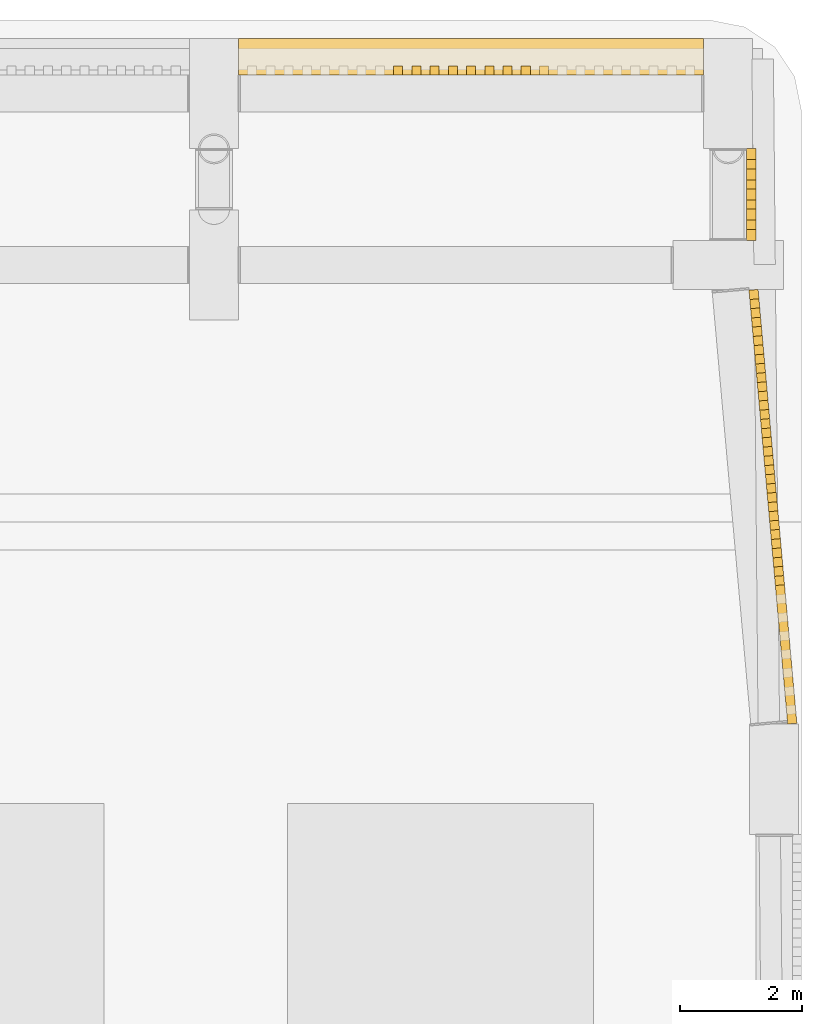
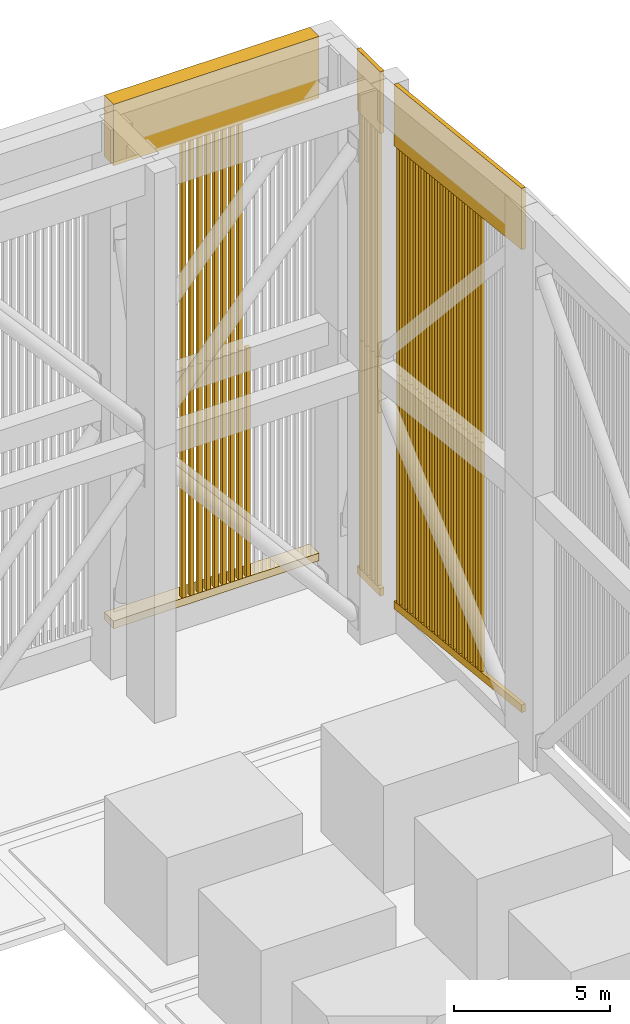
# One storey, part 25 of 27: 57 shading devices, 6 coverings.
"""IFC4 building model written with IfcOpenShell, lengths in metres."""

from ifc_helpers import new_model, si_unit, direction, frame, origin, origin_2d, place, context, subcontext, project, spatial, rectangle, extrude, material, layer, layer_set, type_object, element, save


model = new_model("IFC4")

# Units and contexts
model_context = context("Model", 3, precision=1e-05, world=origin(), true_north=direction((0.0, 1.0)))
body_context = subcontext(model_context, "Body", "Model", "MODEL_VIEW")
ifc_project = project(units=[si_unit("LENGTHUNIT", "METRE"), si_unit("AREAUNIT", "SQUARE_METRE"), si_unit("VOLUMEUNIT", "CUBIC_METRE"), si_unit("PLANEANGLEUNIT", "RADIAN"), si_unit("MASSUNIT", "GRAM", prefix="KILO")], contexts=[model_context])

# Site, building, storey
site_placement = place(None, origin())
site = spatial("IfcSite", under=ifc_project, at=site_placement, CompositionType="ELEMENT")
building_placement = place(site_placement, origin())
building = spatial("IfcBuilding", under=site, at=building_placement, Name="Claustro Exchange Tower", CompositionType="ELEMENT")
storey_placement = place(building_placement, frame((0.0, 0.0, 287.10009765625)))
storey = spatial("IfcBuildingStorey", under=building, at=storey_placement, Name="ROOF", CompositionType="ELEMENT", Elevation=287.10009765625)

# Coverings
ifc_material_1 = material(Name="Concrete HA-40 (C40/50), precast, white cement, acid-etched", Category="concrete")
ifc_layer_1 = layer(ifc_material_1, 0.14990234375)
ifc_layer_set_1 = layer_set([ifc_layer_1], Name="Concrete HA-40 (C40/50), precast, white cement, acid-etched")
covering_type_1 = type_object("IfcCoveringType", Name="CC1 150 precast concrete crown moulding", PredefinedType="MOLDING", material=ifc_layer_set_1)
covering_1_placement = place(storey_placement, frame((51.129638671875, 38.050048828125, 1.10009765625), z_axis=(0.0, 0.0, 1.0), x_axis=(-0.088932542032, 0.996037651381, 0.0)))
element("IfcCovering", 1, at=covering_1_placement, inside=storey, type_object=covering_type_1, Name="CROWN SILL CC1 7+750/E - 7/F", PredefinedType="MOLDING", context=body_context, shape_type="SweptSolid", body=[
    extrude(rectangle(XDim=7.114013671875, YDim=0.14990234375, at=origin_2d()), origin(), (0.0, 0.0, 1.0), 0.300048828125),
])
covering_2_placement = place(storey_placement, frame((51.129638671875, 38.050048828125, 19.199951171875), z_axis=(0.0, 0.0, 1.0), x_axis=(-0.088932542032, 0.996037651381, 0.0)))
element("IfcCovering", 2, at=covering_2_placement, inside=storey, type_object=covering_type_1, Name="CROWN CORNICE CC1 7+750/E - 7/F", PredefinedType="MOLDING", context=body_context, shape_type="SweptSolid", body=[
    extrude(rectangle(XDim=7.114013671875, YDim=0.14990234375, at=origin_2d()), origin(), (0.0, 0.0, 1.0), 2.39990234375),
])
covering_3_placement = place(storey_placement, frame((50.775390625, 43.14990234375, 1.10009765625), z_axis=(0.0, 0.0, 1.0), x_axis=(0.0, 1.0, 0.0)))
element("IfcCovering", 3, at=covering_3_placement, inside=storey, type_object=covering_type_1, Name="CROWN SILL CC1 7/F - 7/F+2800", PredefinedType="MOLDING", context=body_context, shape_type="SweptSolid", body=[
    extrude(rectangle(XDim=1.4990234375, YDim=0.14990234375, at=origin_2d()), origin(), (0.0, 0.0, 1.0), 0.300048828125),
])
covering_4_placement = place(storey_placement, frame((50.775390625, 43.14990234375, 19.199951171875), z_axis=(0.0, 0.0, 1.0), x_axis=(0.0, 1.0, 0.0)))
element("IfcCovering", 4, at=covering_4_placement, inside=storey, type_object=covering_type_1, Name="CROWN CORNICE CC1 7/F - 7/F+2800", PredefinedType="MOLDING", context=body_context, shape_type="SweptSolid", body=[
    extrude(rectangle(XDim=1.4990234375, YDim=0.14990234375, at=origin_2d()), origin(), (0.0, 0.0, 1.0), 2.39990234375),
])
ifc_material_2 = material(Name="Concrete HA-40 (C40/50), precast, white cement, acid-etched", Category="concrete")
ifc_layer_2 = layer(ifc_material_2, 0.60009765625)
ifc_layer_set_2 = layer_set([ifc_layer_2], Name="Concrete HA-40 (C40/50), precast, white cement, acid-etched")
covering_type_2 = type_object("IfcCoveringType", Name="CC2 600 precast concrete crown moulding", PredefinedType="MOLDING", material=ifc_layer_set_2)
covering_5_placement = place(storey_placement, frame((46.199951171875, 45.400390625, 1.10009765625), z_axis=(0.0, 0.0, 1.0), x_axis=(1.0, 0.0, 0.0)))
element("IfcCovering", 5, at=covering_5_placement, inside=storey, type_object=covering_type_2, Name="CROWN SILL CC2 6/F+2800 - 7/F+2800", PredefinedType="MOLDING", context=body_context, shape_type="SweptSolid", body=[
    extrude(rectangle(XDim=7.59912109375, YDim=0.60009765625, at=origin_2d()), origin(), (0.0, 0.0, 1.0), 0.300048828125),
])
covering_6_placement = place(storey_placement, frame((46.199951171875, 45.400390625, 19.199951171875), z_axis=(0.0, 0.0, 1.0), x_axis=(1.0, 0.0, 0.0)))
element("IfcCovering", 6, at=covering_6_placement, inside=storey, type_object=covering_type_2, Name="CROWN CORNICE CC2 6/F+2800 - 7/F+2800", PredefinedType="MOLDING", context=body_context, shape_type="SweptSolid", body=[
    extrude(rectangle(XDim=7.59912109375, YDim=0.60009765625, at=origin_2d()), origin(), (0.0, 0.0, 1.0), 2.39990234375),
])

# Shading devices
ifc_material_3 = material(Name="Concrete HA-40 (C40/50), precast, white cement, acid-etched", Category="concrete")
shading_device_type = type_object("IfcShadingDeviceType", Name="LV1 150 x 150 precast concrete crown louvre", PredefinedType="USERDEFINED", material=ifc_material_3)
shading_device_1_placement = place(storey_placement, frame((45.0078125, 45.175537109375, 1.39990234375), z_axis=(0.0, 0.0, 1.0), x_axis=(1.0, 0.0, 0.0)))
element("IfcShadingDevice", 7, at=shading_device_1_placement, inside=storey, type_object=shading_device_type, Name="CROWN LOUVRE LV1 6/F+2800 - 7/F+2800 09 lower", ObjectType="CROWN LOUVRE", PredefinedType="USERDEFINED", context=body_context, shape_type="SweptSolid", body=[
    extrude(rectangle(XDim=0.14990234375, YDim=0.14990234375, at=origin_2d()), origin(), (0.0, 0.0, 1.0), 8.949951171875),
])
shading_device_2_placement = place(storey_placement, frame((45.0078125, 45.175537109375, 10.349853515625), z_axis=(0.0, 0.0, 1.0), x_axis=(1.0, 0.0, 0.0)))
element("IfcShadingDevice", 8, at=shading_device_2_placement, inside=storey, type_object=shading_device_type, Name="CROWN LOUVRE LV1 6/F+2800 - 7/F+2800 09 upper", ObjectType="CROWN LOUVRE", PredefinedType="USERDEFINED", context=body_context, shape_type="SweptSolid", body=[
    extrude(rectangle(XDim=0.14990234375, YDim=0.14990234375, at=origin_2d()), origin(), (0.0, 0.0, 1.0), 8.85009765625),
])
shading_device_3_placement = place(storey_placement, frame((45.305908203125, 45.175537109375, 1.39990234375), z_axis=(0.0, 0.0, 1.0), x_axis=(1.0, 0.0, 0.0)))
element("IfcShadingDevice", 9, at=shading_device_3_placement, inside=storey, type_object=shading_device_type, Name="CROWN LOUVRE LV1 6/F+2800 - 7/F+2800 10 lower", ObjectType="CROWN LOUVRE", PredefinedType="USERDEFINED", context=body_context, shape_type="SweptSolid", body=[
    extrude(rectangle(XDim=0.14990234375, YDim=0.14990234375, at=origin_2d()), origin(), (0.0, 0.0, 1.0), 8.949951171875),
])
shading_device_4_placement = place(storey_placement, frame((45.305908203125, 45.175537109375, 10.349853515625), z_axis=(0.0, 0.0, 1.0), x_axis=(1.0, 0.0, 0.0)))
element("IfcShadingDevice", 10, at=shading_device_4_placement, inside=storey, type_object=shading_device_type, Name="CROWN LOUVRE LV1 6/F+2800 - 7/F+2800 10 upper", ObjectType="CROWN LOUVRE", PredefinedType="USERDEFINED", context=body_context, shape_type="SweptSolid", body=[
    extrude(rectangle(XDim=0.14990234375, YDim=0.14990234375, at=origin_2d()), origin(), (0.0, 0.0, 1.0), 8.85009765625),
])
shading_device_5_placement = place(storey_placement, frame((45.60400390625, 45.175537109375, 1.39990234375), z_axis=(0.0, 0.0, 1.0), x_axis=(1.0, 0.0, 0.0)))
element("IfcShadingDevice", 11, at=shading_device_5_placement, inside=storey, type_object=shading_device_type, Name="CROWN LOUVRE LV1 6/F+2800 - 7/F+2800 11 lower", ObjectType="CROWN LOUVRE", PredefinedType="USERDEFINED", context=body_context, shape_type="SweptSolid", body=[
    extrude(rectangle(XDim=0.14990234375, YDim=0.14990234375, at=origin_2d()), origin(), (0.0, 0.0, 1.0), 8.949951171875),
])
shading_device_6_placement = place(storey_placement, frame((45.60400390625, 45.175537109375, 10.349853515625), z_axis=(0.0, 0.0, 1.0), x_axis=(1.0, 0.0, 0.0)))
element("IfcShadingDevice", 12, at=shading_device_6_placement, inside=storey, type_object=shading_device_type, Name="CROWN LOUVRE LV1 6/F+2800 - 7/F+2800 11 upper", ObjectType="CROWN LOUVRE", PredefinedType="USERDEFINED", context=body_context, shape_type="SweptSolid", body=[
    extrude(rectangle(XDim=0.14990234375, YDim=0.14990234375, at=origin_2d()), origin(), (0.0, 0.0, 1.0), 8.85009765625),
])
shading_device_7_placement = place(storey_placement, frame((45.902099609375, 45.175537109375, 1.39990234375), z_axis=(0.0, 0.0, 1.0), x_axis=(1.0, 0.0, 0.0)))
element("IfcShadingDevice", 13, at=shading_device_7_placement, inside=storey, type_object=shading_device_type, Name="CROWN LOUVRE LV1 6/F+2800 - 7/F+2800 12 lower", ObjectType="CROWN LOUVRE", PredefinedType="USERDEFINED", context=body_context, shape_type="SweptSolid", body=[
    extrude(rectangle(XDim=0.14990234375, YDim=0.14990234375, at=origin_2d()), origin(), (0.0, 0.0, 1.0), 8.949951171875),
])
shading_device_8_placement = place(storey_placement, frame((45.902099609375, 45.175537109375, 10.349853515625), z_axis=(0.0, 0.0, 1.0), x_axis=(1.0, 0.0, 0.0)))
element("IfcShadingDevice", 14, at=shading_device_8_placement, inside=storey, type_object=shading_device_type, Name="CROWN LOUVRE LV1 6/F+2800 - 7/F+2800 12 upper", ObjectType="CROWN LOUVRE", PredefinedType="USERDEFINED", context=body_context, shape_type="SweptSolid", body=[
    extrude(rectangle(XDim=0.14990234375, YDim=0.14990234375, at=origin_2d()), origin(), (0.0, 0.0, 1.0), 8.85009765625),
])
shading_device_9_placement = place(storey_placement, frame((46.199951171875, 45.175537109375, 1.39990234375), z_axis=(0.0, 0.0, 1.0), x_axis=(1.0, 0.0, 0.0)))
element("IfcShadingDevice", 15, at=shading_device_9_placement, inside=storey, type_object=shading_device_type, Name="CROWN LOUVRE LV1 6/F+2800 - 7/F+2800 13 lower", ObjectType="CROWN LOUVRE", PredefinedType="USERDEFINED", context=body_context, shape_type="SweptSolid", body=[
    extrude(rectangle(XDim=0.14990234375, YDim=0.14990234375, at=origin_2d()), origin(), (0.0, 0.0, 1.0), 8.949951171875),
])
shading_device_10_placement = place(storey_placement, frame((46.199951171875, 45.175537109375, 10.349853515625), z_axis=(0.0, 0.0, 1.0), x_axis=(1.0, 0.0, 0.0)))
element("IfcShadingDevice", 16, at=shading_device_10_placement, inside=storey, type_object=shading_device_type, Name="CROWN LOUVRE LV1 6/F+2800 - 7/F+2800 13 upper", ObjectType="CROWN LOUVRE", PredefinedType="USERDEFINED", context=body_context, shape_type="SweptSolid", body=[
    extrude(rectangle(XDim=0.14990234375, YDim=0.14990234375, at=origin_2d()), origin(), (0.0, 0.0, 1.0), 8.85009765625),
])
shading_device_11_placement = place(storey_placement, frame((46.498046875, 45.175537109375, 1.39990234375), z_axis=(0.0, 0.0, 1.0), x_axis=(1.0, 0.0, 0.0)))
element("IfcShadingDevice", 17, at=shading_device_11_placement, inside=storey, type_object=shading_device_type, Name="CROWN LOUVRE LV1 6/F+2800 - 7/F+2800 14 lower", ObjectType="CROWN LOUVRE", PredefinedType="USERDEFINED", context=body_context, shape_type="SweptSolid", body=[
    extrude(rectangle(XDim=0.14990234375, YDim=0.14990234375, at=origin_2d()), origin(), (0.0, 0.0, 1.0), 8.949951171875),
])
shading_device_12_placement = place(storey_placement, frame((46.498046875, 45.175537109375, 10.349853515625), z_axis=(0.0, 0.0, 1.0), x_axis=(1.0, 0.0, 0.0)))
element("IfcShadingDevice", 18, at=shading_device_12_placement, inside=storey, type_object=shading_device_type, Name="CROWN LOUVRE LV1 6/F+2800 - 7/F+2800 14 upper", ObjectType="CROWN LOUVRE", PredefinedType="USERDEFINED", context=body_context, shape_type="SweptSolid", body=[
    extrude(rectangle(XDim=0.14990234375, YDim=0.14990234375, at=origin_2d()), origin(), (0.0, 0.0, 1.0), 8.85009765625),
])
shading_device_13_placement = place(storey_placement, frame((46.796142578125, 45.175537109375, 1.39990234375), z_axis=(0.0, 0.0, 1.0), x_axis=(1.0, 0.0, 0.0)))
element("IfcShadingDevice", 19, at=shading_device_13_placement, inside=storey, type_object=shading_device_type, Name="CROWN LOUVRE LV1 6/F+2800 - 7/F+2800 15 lower", ObjectType="CROWN LOUVRE", PredefinedType="USERDEFINED", context=body_context, shape_type="SweptSolid", body=[
    extrude(rectangle(XDim=0.14990234375, YDim=0.14990234375, at=origin_2d()), origin(), (0.0, 0.0, 1.0), 8.949951171875),
])
shading_device_14_placement = place(storey_placement, frame((46.796142578125, 45.175537109375, 10.349853515625), z_axis=(0.0, 0.0, 1.0), x_axis=(1.0, 0.0, 0.0)))
element("IfcShadingDevice", 20, at=shading_device_14_placement, inside=storey, type_object=shading_device_type, Name="CROWN LOUVRE LV1 6/F+2800 - 7/F+2800 15 upper", ObjectType="CROWN LOUVRE", PredefinedType="USERDEFINED", context=body_context, shape_type="SweptSolid", body=[
    extrude(rectangle(XDim=0.14990234375, YDim=0.14990234375, at=origin_2d()), origin(), (0.0, 0.0, 1.0), 8.85009765625),
])
shading_device_15_placement = place(storey_placement, frame((47.093994140625, 45.175537109375, 1.39990234375), z_axis=(0.0, 0.0, 1.0), x_axis=(1.0, 0.0, 0.0)))
element("IfcShadingDevice", 21, at=shading_device_15_placement, inside=storey, type_object=shading_device_type, Name="CROWN LOUVRE LV1 6/F+2800 - 7/F+2800 16 lower", ObjectType="CROWN LOUVRE", PredefinedType="USERDEFINED", context=body_context, shape_type="SweptSolid", body=[
    extrude(rectangle(XDim=0.14990234375, YDim=0.14990234375, at=origin_2d()), origin(), (0.0, 0.0, 1.0), 8.949951171875),
])
shading_device_16_placement = place(storey_placement, frame((47.093994140625, 45.175537109375, 10.349853515625), z_axis=(0.0, 0.0, 1.0), x_axis=(1.0, 0.0, 0.0)))
element("IfcShadingDevice", 22, at=shading_device_16_placement, inside=storey, type_object=shading_device_type, Name="CROWN LOUVRE LV1 6/F+2800 - 7/F+2800 16 upper", ObjectType="CROWN LOUVRE", PredefinedType="USERDEFINED", context=body_context, shape_type="SweptSolid", body=[
    extrude(rectangle(XDim=0.14990234375, YDim=0.14990234375, at=origin_2d()), origin(), (0.0, 0.0, 1.0), 8.85009765625),
])
for number, where, z_axis, x_axis, name in (
    (23, (47.39208984375, 45.175537109375, 1.39990234375), (0.0, 0.0, 1.0), (1.0, 0.0, 0.0), "CROWN LOUVRE LV1 6/F+2800 - 7/F+2800 17 lower"),
    (24, (51.2373046875, 36.84423828125, 1.39990234375), (0.0, 0.0, 1.0), (-0.088932542032, 0.996037651381, 0.0), "CROWN LOUVRE LV1 7+750/E - 7/F 08 lower"),
):
    element("IfcShadingDevice", number, at=place(storey_placement, frame(where, z_axis=z_axis, x_axis=x_axis)), inside=storey, type_object=shading_device_type, Name=name, ObjectType="CROWN LOUVRE", PredefinedType="USERDEFINED", context=body_context, shape_type="SweptSolid", body=[
        extrude(rectangle(XDim=0.14990234375, YDim=0.14990234375, at=origin_2d()), origin(), (0.0, 0.0, 1.0), 8.949951171875),
    ])
shading_device_17_placement = place(storey_placement, frame((51.2373046875, 36.84423828125, 10.349853515625), z_axis=(0.0, 0.0, 1.0), x_axis=(-0.088932542032, 0.996037651381, 0.0)))
element("IfcShadingDevice", 25, at=shading_device_17_placement, inside=storey, type_object=shading_device_type, Name="CROWN LOUVRE LV1 7+750/E - 7/F 08 upper", ObjectType="CROWN LOUVRE", PredefinedType="USERDEFINED", context=body_context, shape_type="SweptSolid", body=[
    extrude(rectangle(XDim=0.14990234375, YDim=0.14990234375, at=origin_2d()), origin(), (0.0, 0.0, 1.0), 8.85009765625),
])
shading_device_18_placement = place(storey_placement, frame((51.21044921875, 37.1455078125, 1.39990234375), z_axis=(0.0, 0.0, 1.0), x_axis=(-0.088932542032, 0.996037651381, 0.0)))
element("IfcShadingDevice", 26, at=shading_device_18_placement, inside=storey, type_object=shading_device_type, Name="CROWN LOUVRE LV1 7+750/E - 7/F 09 lower", ObjectType="CROWN LOUVRE", PredefinedType="USERDEFINED", context=body_context, shape_type="SweptSolid", body=[
    extrude(rectangle(XDim=0.14990234375, YDim=0.14990234375, at=origin_2d()), origin(), (0.0, 0.0, 1.0), 8.949951171875),
])
shading_device_19_placement = place(storey_placement, frame((51.21044921875, 37.1455078125, 10.349853515625), z_axis=(0.0, 0.0, 1.0), x_axis=(-0.088932542032, 0.996037651381, 0.0)))
element("IfcShadingDevice", 27, at=shading_device_19_placement, inside=storey, type_object=shading_device_type, Name="CROWN LOUVRE LV1 7+750/E - 7/F 09 upper", ObjectType="CROWN LOUVRE", PredefinedType="USERDEFINED", context=body_context, shape_type="SweptSolid", body=[
    extrude(rectangle(XDim=0.14990234375, YDim=0.14990234375, at=origin_2d()), origin(), (0.0, 0.0, 1.0), 8.85009765625),
])
shading_device_20_placement = place(storey_placement, frame((51.18359375, 37.447021484375, 1.39990234375), z_axis=(0.0, 0.0, 1.0), x_axis=(-0.088932542032, 0.996037651381, 0.0)))
element("IfcShadingDevice", 28, at=shading_device_20_placement, inside=storey, type_object=shading_device_type, Name="CROWN LOUVRE LV1 7+750/E - 7/F 10 lower", ObjectType="CROWN LOUVRE", PredefinedType="USERDEFINED", context=body_context, shape_type="SweptSolid", body=[
    extrude(rectangle(XDim=0.14990234375, YDim=0.14990234375, at=origin_2d()), origin(), (0.0, 0.0, 1.0), 8.949951171875),
])
shading_device_21_placement = place(storey_placement, frame((51.18359375, 37.447021484375, 10.349853515625), z_axis=(0.0, 0.0, 1.0), x_axis=(-0.088932542032, 0.996037651381, 0.0)))
element("IfcShadingDevice", 29, at=shading_device_21_placement, inside=storey, type_object=shading_device_type, Name="CROWN LOUVRE LV1 7+750/E - 7/F 10 upper", ObjectType="CROWN LOUVRE", PredefinedType="USERDEFINED", context=body_context, shape_type="SweptSolid", body=[
    extrude(rectangle(XDim=0.14990234375, YDim=0.14990234375, at=origin_2d()), origin(), (0.0, 0.0, 1.0), 8.85009765625),
])
shading_device_22_placement = place(storey_placement, frame((51.156494140625, 37.74853515625, 1.39990234375), z_axis=(0.0, 0.0, 1.0), x_axis=(-0.088932542032, 0.996037651381, 0.0)))
element("IfcShadingDevice", 30, at=shading_device_22_placement, inside=storey, type_object=shading_device_type, Name="CROWN LOUVRE LV1 7+750/E - 7/F 11 lower", ObjectType="CROWN LOUVRE", PredefinedType="USERDEFINED", context=body_context, shape_type="SweptSolid", body=[
    extrude(rectangle(XDim=0.14990234375, YDim=0.14990234375, at=origin_2d()), origin(), (0.0, 0.0, 1.0), 8.949951171875),
])
shading_device_23_placement = place(storey_placement, frame((51.156494140625, 37.74853515625, 10.349853515625), z_axis=(0.0, 0.0, 1.0), x_axis=(-0.088932542032, 0.996037651381, 0.0)))
element("IfcShadingDevice", 31, at=shading_device_23_placement, inside=storey, type_object=shading_device_type, Name="CROWN LOUVRE LV1 7+750/E - 7/F 11 upper", ObjectType="CROWN LOUVRE", PredefinedType="USERDEFINED", context=body_context, shape_type="SweptSolid", body=[
    extrude(rectangle(XDim=0.14990234375, YDim=0.14990234375, at=origin_2d()), origin(), (0.0, 0.0, 1.0), 8.85009765625),
])
shading_device_24_placement = place(storey_placement, frame((51.129638671875, 38.050048828125, 1.39990234375), z_axis=(0.0, 0.0, 1.0), x_axis=(-0.088932542032, 0.996037651381, 0.0)))
element("IfcShadingDevice", 32, at=shading_device_24_placement, inside=storey, type_object=shading_device_type, Name="CROWN LOUVRE LV1 7+750/E - 7/F 12 lower", ObjectType="CROWN LOUVRE", PredefinedType="USERDEFINED", context=body_context, shape_type="SweptSolid", body=[
    extrude(rectangle(XDim=0.14990234375, YDim=0.14990234375, at=origin_2d()), origin(), (0.0, 0.0, 1.0), 8.949951171875),
])
shading_device_25_placement = place(storey_placement, frame((51.129638671875, 38.050048828125, 10.349853515625), z_axis=(0.0, 0.0, 1.0), x_axis=(-0.088932542032, 0.996037651381, 0.0)))
element("IfcShadingDevice", 33, at=shading_device_25_placement, inside=storey, type_object=shading_device_type, Name="CROWN LOUVRE LV1 7+750/E - 7/F 12 upper", ObjectType="CROWN LOUVRE", PredefinedType="USERDEFINED", context=body_context, shape_type="SweptSolid", body=[
    extrude(rectangle(XDim=0.14990234375, YDim=0.14990234375, at=origin_2d()), origin(), (0.0, 0.0, 1.0), 8.85009765625),
])
shading_device_26_placement = place(storey_placement, frame((51.102783203125, 38.3515625, 1.39990234375), z_axis=(0.0, 0.0, 1.0), x_axis=(-0.088932542032, 0.996037651381, 0.0)))
element("IfcShadingDevice", 34, at=shading_device_26_placement, inside=storey, type_object=shading_device_type, Name="CROWN LOUVRE LV1 7+750/E - 7/F 13 lower", ObjectType="CROWN LOUVRE", PredefinedType="USERDEFINED", context=body_context, shape_type="SweptSolid", body=[
    extrude(rectangle(XDim=0.14990234375, YDim=0.14990234375, at=origin_2d()), origin(), (0.0, 0.0, 1.0), 8.949951171875),
])
shading_device_27_placement = place(storey_placement, frame((51.102783203125, 38.3515625, 10.349853515625), z_axis=(0.0, 0.0, 1.0), x_axis=(-0.088932542032, 0.996037651381, 0.0)))
element("IfcShadingDevice", 35, at=shading_device_27_placement, inside=storey, type_object=shading_device_type, Name="CROWN LOUVRE LV1 7+750/E - 7/F 13 upper", ObjectType="CROWN LOUVRE", PredefinedType="USERDEFINED", context=body_context, shape_type="SweptSolid", body=[
    extrude(rectangle(XDim=0.14990234375, YDim=0.14990234375, at=origin_2d()), origin(), (0.0, 0.0, 1.0), 8.85009765625),
])
shading_device_28_placement = place(storey_placement, frame((51.07568359375, 38.65283203125, 1.39990234375), z_axis=(0.0, 0.0, 1.0), x_axis=(-0.088932542032, 0.996037651381, 0.0)))
element("IfcShadingDevice", 36, at=shading_device_28_placement, inside=storey, type_object=shading_device_type, Name="CROWN LOUVRE LV1 7+750/E - 7/F 14 lower", ObjectType="CROWN LOUVRE", PredefinedType="USERDEFINED", context=body_context, shape_type="SweptSolid", body=[
    extrude(rectangle(XDim=0.14990234375, YDim=0.14990234375, at=origin_2d()), origin(), (0.0, 0.0, 1.0), 8.949951171875),
])
shading_device_29_placement = place(storey_placement, frame((51.07568359375, 38.65283203125, 10.349853515625), z_axis=(0.0, 0.0, 1.0), x_axis=(-0.088932542032, 0.996037651381, 0.0)))
element("IfcShadingDevice", 37, at=shading_device_29_placement, inside=storey, type_object=shading_device_type, Name="CROWN LOUVRE LV1 7+750/E - 7/F 14 upper", ObjectType="CROWN LOUVRE", PredefinedType="USERDEFINED", context=body_context, shape_type="SweptSolid", body=[
    extrude(rectangle(XDim=0.14990234375, YDim=0.14990234375, at=origin_2d()), origin(), (0.0, 0.0, 1.0), 8.85009765625),
])
shading_device_30_placement = place(storey_placement, frame((51.048828125, 38.954345703125, 1.39990234375), z_axis=(0.0, 0.0, 1.0), x_axis=(-0.088932542032, 0.996037651381, 0.0)))
element("IfcShadingDevice", 38, at=shading_device_30_placement, inside=storey, type_object=shading_device_type, Name="CROWN LOUVRE LV1 7+750/E - 7/F 15 lower", ObjectType="CROWN LOUVRE", PredefinedType="USERDEFINED", context=body_context, shape_type="SweptSolid", body=[
    extrude(rectangle(XDim=0.14990234375, YDim=0.14990234375, at=origin_2d()), origin(), (0.0, 0.0, 1.0), 8.949951171875),
])
shading_device_31_placement = place(storey_placement, frame((51.048828125, 38.954345703125, 10.349853515625), z_axis=(0.0, 0.0, 1.0), x_axis=(-0.088932542032, 0.996037651381, 0.0)))
element("IfcShadingDevice", 39, at=shading_device_31_placement, inside=storey, type_object=shading_device_type, Name="CROWN LOUVRE LV1 7+750/E - 7/F 15 upper", ObjectType="CROWN LOUVRE", PredefinedType="USERDEFINED", context=body_context, shape_type="SweptSolid", body=[
    extrude(rectangle(XDim=0.14990234375, YDim=0.14990234375, at=origin_2d()), origin(), (0.0, 0.0, 1.0), 8.85009765625),
])
shading_device_32_placement = place(storey_placement, frame((51.02197265625, 39.255859375, 1.39990234375), z_axis=(0.0, 0.0, 1.0), x_axis=(-0.088932542032, 0.996037651381, 0.0)))
element("IfcShadingDevice", 40, at=shading_device_32_placement, inside=storey, type_object=shading_device_type, Name="CROWN LOUVRE LV1 7+750/E - 7/F 16 lower", ObjectType="CROWN LOUVRE", PredefinedType="USERDEFINED", context=body_context, shape_type="SweptSolid", body=[
    extrude(rectangle(XDim=0.14990234375, YDim=0.14990234375, at=origin_2d()), origin(), (0.0, 0.0, 1.0), 8.949951171875),
])
shading_device_33_placement = place(storey_placement, frame((51.02197265625, 39.255859375, 10.349853515625), z_axis=(0.0, 0.0, 1.0), x_axis=(-0.088932542032, 0.996037651381, 0.0)))
element("IfcShadingDevice", 41, at=shading_device_33_placement, inside=storey, type_object=shading_device_type, Name="CROWN LOUVRE LV1 7+750/E - 7/F 16 upper", ObjectType="CROWN LOUVRE", PredefinedType="USERDEFINED", context=body_context, shape_type="SweptSolid", body=[
    extrude(rectangle(XDim=0.14990234375, YDim=0.14990234375, at=origin_2d()), origin(), (0.0, 0.0, 1.0), 8.85009765625),
])
shading_device_34_placement = place(storey_placement, frame((50.9951171875, 39.557373046875, 1.39990234375), z_axis=(0.0, 0.0, 1.0), x_axis=(-0.088932542032, 0.996037651381, 0.0)))
element("IfcShadingDevice", 42, at=shading_device_34_placement, inside=storey, type_object=shading_device_type, Name="CROWN LOUVRE LV1 7+750/E - 7/F 17 lower", ObjectType="CROWN LOUVRE", PredefinedType="USERDEFINED", context=body_context, shape_type="SweptSolid", body=[
    extrude(rectangle(XDim=0.14990234375, YDim=0.14990234375, at=origin_2d()), origin(), (0.0, 0.0, 1.0), 8.949951171875),
])
shading_device_35_placement = place(storey_placement, frame((50.9951171875, 39.557373046875, 10.349853515625), z_axis=(0.0, 0.0, 1.0), x_axis=(-0.088932542032, 0.996037651381, 0.0)))
element("IfcShadingDevice", 43, at=shading_device_35_placement, inside=storey, type_object=shading_device_type, Name="CROWN LOUVRE LV1 7+750/E - 7/F 17 upper", ObjectType="CROWN LOUVRE", PredefinedType="USERDEFINED", context=body_context, shape_type="SweptSolid", body=[
    extrude(rectangle(XDim=0.14990234375, YDim=0.14990234375, at=origin_2d()), origin(), (0.0, 0.0, 1.0), 8.85009765625),
])
shading_device_36_placement = place(storey_placement, frame((50.96826171875, 39.85888671875, 1.39990234375), z_axis=(0.0, 0.0, 1.0), x_axis=(-0.088932542032, 0.996037651381, 0.0)))
element("IfcShadingDevice", 44, at=shading_device_36_placement, inside=storey, type_object=shading_device_type, Name="CROWN LOUVRE LV1 7+750/E - 7/F 18 lower", ObjectType="CROWN LOUVRE", PredefinedType="USERDEFINED", context=body_context, shape_type="SweptSolid", body=[
    extrude(rectangle(XDim=0.14990234375, YDim=0.14990234375, at=origin_2d()), origin(), (0.0, 0.0, 1.0), 8.949951171875),
])
shading_device_37_placement = place(storey_placement, frame((50.96826171875, 39.85888671875, 10.349853515625), z_axis=(0.0, 0.0, 1.0), x_axis=(-0.088932542032, 0.996037651381, 0.0)))
element("IfcShadingDevice", 45, at=shading_device_37_placement, inside=storey, type_object=shading_device_type, Name="CROWN LOUVRE LV1 7+750/E - 7/F 18 upper", ObjectType="CROWN LOUVRE", PredefinedType="USERDEFINED", context=body_context, shape_type="SweptSolid", body=[
    extrude(rectangle(XDim=0.14990234375, YDim=0.14990234375, at=origin_2d()), origin(), (0.0, 0.0, 1.0), 8.85009765625),
])
shading_device_38_placement = place(storey_placement, frame((50.94140625, 40.16015625, 1.39990234375), z_axis=(0.0, 0.0, 1.0), x_axis=(-0.088932542032, 0.996037651381, 0.0)))
element("IfcShadingDevice", 46, at=shading_device_38_placement, inside=storey, type_object=shading_device_type, Name="CROWN LOUVRE LV1 7+750/E - 7/F 19 lower", ObjectType="CROWN LOUVRE", PredefinedType="USERDEFINED", context=body_context, shape_type="SweptSolid", body=[
    extrude(rectangle(XDim=0.14990234375, YDim=0.14990234375, at=origin_2d()), origin(), (0.0, 0.0, 1.0), 8.949951171875),
])
shading_device_39_placement = place(storey_placement, frame((50.94140625, 40.16015625, 10.349853515625), z_axis=(0.0, 0.0, 1.0), x_axis=(-0.088932542032, 0.996037651381, 0.0)))
element("IfcShadingDevice", 47, at=shading_device_39_placement, inside=storey, type_object=shading_device_type, Name="CROWN LOUVRE LV1 7+750/E - 7/F 19 upper", ObjectType="CROWN LOUVRE", PredefinedType="USERDEFINED", context=body_context, shape_type="SweptSolid", body=[
    extrude(rectangle(XDim=0.14990234375, YDim=0.14990234375, at=origin_2d()), origin(), (0.0, 0.0, 1.0), 8.85009765625),
])
shading_device_40_placement = place(storey_placement, frame((50.914306640625, 40.461669921875, 1.39990234375), z_axis=(0.0, 0.0, 1.0), x_axis=(-0.088932542032, 0.996037651381, 0.0)))
element("IfcShadingDevice", 48, at=shading_device_40_placement, inside=storey, type_object=shading_device_type, Name="CROWN LOUVRE LV1 7+750/E - 7/F 20 lower", ObjectType="CROWN LOUVRE", PredefinedType="USERDEFINED", context=body_context, shape_type="SweptSolid", body=[
    extrude(rectangle(XDim=0.14990234375, YDim=0.14990234375, at=origin_2d()), origin(), (0.0, 0.0, 1.0), 8.949951171875),
])
shading_device_41_placement = place(storey_placement, frame((50.914306640625, 40.461669921875, 10.349853515625), z_axis=(0.0, 0.0, 1.0), x_axis=(-0.088932542032, 0.996037651381, 0.0)))
element("IfcShadingDevice", 49, at=shading_device_41_placement, inside=storey, type_object=shading_device_type, Name="CROWN LOUVRE LV1 7+750/E - 7/F 20 upper", ObjectType="CROWN LOUVRE", PredefinedType="USERDEFINED", context=body_context, shape_type="SweptSolid", body=[
    extrude(rectangle(XDim=0.14990234375, YDim=0.14990234375, at=origin_2d()), origin(), (0.0, 0.0, 1.0), 8.85009765625),
])
shading_device_42_placement = place(storey_placement, frame((50.887451171875, 40.76318359375, 1.39990234375), z_axis=(0.0, 0.0, 1.0), x_axis=(-0.088932542032, 0.996037651381, 0.0)))
element("IfcShadingDevice", 50, at=shading_device_42_placement, inside=storey, type_object=shading_device_type, Name="CROWN LOUVRE LV1 7+750/E - 7/F 21 lower", ObjectType="CROWN LOUVRE", PredefinedType="USERDEFINED", context=body_context, shape_type="SweptSolid", body=[
    extrude(rectangle(XDim=0.14990234375, YDim=0.14990234375, at=origin_2d()), origin(), (0.0, 0.0, 1.0), 8.949951171875),
])
shading_device_43_placement = place(storey_placement, frame((50.887451171875, 40.76318359375, 10.349853515625), z_axis=(0.0, 0.0, 1.0), x_axis=(-0.088932542032, 0.996037651381, 0.0)))
element("IfcShadingDevice", 51, at=shading_device_43_placement, inside=storey, type_object=shading_device_type, Name="CROWN LOUVRE LV1 7+750/E - 7/F 21 upper", ObjectType="CROWN LOUVRE", PredefinedType="USERDEFINED", context=body_context, shape_type="SweptSolid", body=[
    extrude(rectangle(XDim=0.14990234375, YDim=0.14990234375, at=origin_2d()), origin(), (0.0, 0.0, 1.0), 8.85009765625),
])
shading_device_44_placement = place(storey_placement, frame((50.860595703125, 41.064697265625, 1.39990234375), z_axis=(0.0, 0.0, 1.0), x_axis=(-0.088932542032, 0.996037651381, 0.0)))
element("IfcShadingDevice", 52, at=shading_device_44_placement, inside=storey, type_object=shading_device_type, Name="CROWN LOUVRE LV1 7+750/E - 7/F 22 lower", ObjectType="CROWN LOUVRE", PredefinedType="USERDEFINED", context=body_context, shape_type="SweptSolid", body=[
    extrude(rectangle(XDim=0.14990234375, YDim=0.14990234375, at=origin_2d()), origin(), (0.0, 0.0, 1.0), 8.949951171875),
])
shading_device_45_placement = place(storey_placement, frame((50.860595703125, 41.064697265625, 10.349853515625), z_axis=(0.0, 0.0, 1.0), x_axis=(-0.088932542032, 0.996037651381, 0.0)))
element("IfcShadingDevice", 53, at=shading_device_45_placement, inside=storey, type_object=shading_device_type, Name="CROWN LOUVRE LV1 7+750/E - 7/F 22 upper", ObjectType="CROWN LOUVRE", PredefinedType="USERDEFINED", context=body_context, shape_type="SweptSolid", body=[
    extrude(rectangle(XDim=0.14990234375, YDim=0.14990234375, at=origin_2d()), origin(), (0.0, 0.0, 1.0), 8.85009765625),
])
shading_device_46_placement = place(storey_placement, frame((50.83349609375, 41.3662109375, 1.39990234375), z_axis=(0.0, 0.0, 1.0), x_axis=(-0.088932542032, 0.996037651381, 0.0)))
element("IfcShadingDevice", 54, at=shading_device_46_placement, inside=storey, type_object=shading_device_type, Name="CROWN LOUVRE LV1 7+750/E - 7/F 23 lower", ObjectType="CROWN LOUVRE", PredefinedType="USERDEFINED", context=body_context, shape_type="SweptSolid", body=[
    extrude(rectangle(XDim=0.14990234375, YDim=0.14990234375, at=origin_2d()), origin(), (0.0, 0.0, 1.0), 8.949951171875),
])
shading_device_47_placement = place(storey_placement, frame((50.83349609375, 41.3662109375, 10.349853515625), z_axis=(0.0, 0.0, 1.0), x_axis=(-0.088932542032, 0.996037651381, 0.0)))
element("IfcShadingDevice", 55, at=shading_device_47_placement, inside=storey, type_object=shading_device_type, Name="CROWN LOUVRE LV1 7+750/E - 7/F 23 upper", ObjectType="CROWN LOUVRE", PredefinedType="USERDEFINED", context=body_context, shape_type="SweptSolid", body=[
    extrude(rectangle(XDim=0.14990234375, YDim=0.14990234375, at=origin_2d()), origin(), (0.0, 0.0, 1.0), 8.85009765625),
])
shading_device_48_placement = place(storey_placement, frame((50.775390625, 42.6552734375, 1.39990234375), z_axis=(0.0, 0.0, 1.0), x_axis=(0.0, 1.0, 0.0)))
element("IfcShadingDevice", 56, at=shading_device_48_placement, inside=storey, type_object=shading_device_type, Name="CROWN LOUVRE LV1 7/F - 7/F+2800 01 lower", ObjectType="CROWN LOUVRE", PredefinedType="USERDEFINED", context=body_context, shape_type="SweptSolid", body=[
    extrude(rectangle(XDim=0.14990234375, YDim=0.14990234375, at=origin_2d()), origin(), (0.0, 0.0, 1.0), 8.949951171875),
])
shading_device_49_placement = place(storey_placement, frame((50.775390625, 42.6552734375, 10.349853515625), z_axis=(0.0, 0.0, 1.0), x_axis=(0.0, 1.0, 0.0)))
element("IfcShadingDevice", 57, at=shading_device_49_placement, inside=storey, type_object=shading_device_type, Name="CROWN LOUVRE LV1 7/F - 7/F+2800 01 upper", ObjectType="CROWN LOUVRE", PredefinedType="USERDEFINED", context=body_context, shape_type="SweptSolid", body=[
    extrude(rectangle(XDim=0.14990234375, YDim=0.14990234375, at=origin_2d()), origin(), (0.0, 0.0, 1.0), 8.85009765625),
])
shading_device_50_placement = place(storey_placement, frame((50.775390625, 42.985107421875, 1.39990234375), z_axis=(0.0, 0.0, 1.0), x_axis=(0.0, 1.0, 0.0)))
element("IfcShadingDevice", 58, at=shading_device_50_placement, inside=storey, type_object=shading_device_type, Name="CROWN LOUVRE LV1 7/F - 7/F+2800 02 lower", ObjectType="CROWN LOUVRE", PredefinedType="USERDEFINED", context=body_context, shape_type="SweptSolid", body=[
    extrude(rectangle(XDim=0.14990234375, YDim=0.14990234375, at=origin_2d()), origin(), (0.0, 0.0, 1.0), 8.949951171875),
])
shading_device_51_placement = place(storey_placement, frame((50.775390625, 42.985107421875, 10.349853515625), z_axis=(0.0, 0.0, 1.0), x_axis=(0.0, 1.0, 0.0)))
element("IfcShadingDevice", 59, at=shading_device_51_placement, inside=storey, type_object=shading_device_type, Name="CROWN LOUVRE LV1 7/F - 7/F+2800 02 upper", ObjectType="CROWN LOUVRE", PredefinedType="USERDEFINED", context=body_context, shape_type="SweptSolid", body=[
    extrude(rectangle(XDim=0.14990234375, YDim=0.14990234375, at=origin_2d()), origin(), (0.0, 0.0, 1.0), 8.85009765625),
])
shading_device_52_placement = place(storey_placement, frame((50.775390625, 43.31494140625, 1.39990234375), z_axis=(0.0, 0.0, 1.0), x_axis=(0.0, 1.0, 0.0)))
element("IfcShadingDevice", 60, at=shading_device_52_placement, inside=storey, type_object=shading_device_type, Name="CROWN LOUVRE LV1 7/F - 7/F+2800 03 lower", ObjectType="CROWN LOUVRE", PredefinedType="USERDEFINED", context=body_context, shape_type="SweptSolid", body=[
    extrude(rectangle(XDim=0.14990234375, YDim=0.14990234375, at=origin_2d()), origin(), (0.0, 0.0, 1.0), 8.949951171875),
])
shading_device_53_placement = place(storey_placement, frame((50.775390625, 43.31494140625, 10.349853515625), z_axis=(0.0, 0.0, 1.0), x_axis=(0.0, 1.0, 0.0)))
element("IfcShadingDevice", 61, at=shading_device_53_placement, inside=storey, type_object=shading_device_type, Name="CROWN LOUVRE LV1 7/F - 7/F+2800 03 upper", ObjectType="CROWN LOUVRE", PredefinedType="USERDEFINED", context=body_context, shape_type="SweptSolid", body=[
    extrude(rectangle(XDim=0.14990234375, YDim=0.14990234375, at=origin_2d()), origin(), (0.0, 0.0, 1.0), 8.85009765625),
])
shading_device_54_placement = place(storey_placement, frame((50.775390625, 43.644775390625, 1.39990234375), z_axis=(0.0, 0.0, 1.0), x_axis=(0.0, 1.0, 0.0)))
element("IfcShadingDevice", 62, at=shading_device_54_placement, inside=storey, type_object=shading_device_type, Name="CROWN LOUVRE LV1 7/F - 7/F+2800 04 lower", ObjectType="CROWN LOUVRE", PredefinedType="USERDEFINED", context=body_context, shape_type="SweptSolid", body=[
    extrude(rectangle(XDim=0.14990234375, YDim=0.14990234375, at=origin_2d()), origin(), (0.0, 0.0, 1.0), 8.949951171875),
])
shading_device_55_placement = place(storey_placement, frame((50.775390625, 43.644775390625, 10.349853515625), z_axis=(0.0, 0.0, 1.0), x_axis=(0.0, 1.0, 0.0)))
element("IfcShadingDevice", 63, at=shading_device_55_placement, inside=storey, type_object=shading_device_type, Name="CROWN LOUVRE LV1 7/F - 7/F+2800 04 upper", ObjectType="CROWN LOUVRE", PredefinedType="USERDEFINED", context=body_context, shape_type="SweptSolid", body=[
    extrude(rectangle(XDim=0.14990234375, YDim=0.14990234375, at=origin_2d()), origin(), (0.0, 0.0, 1.0), 8.85009765625),
])

save(model, "model.ifc")
